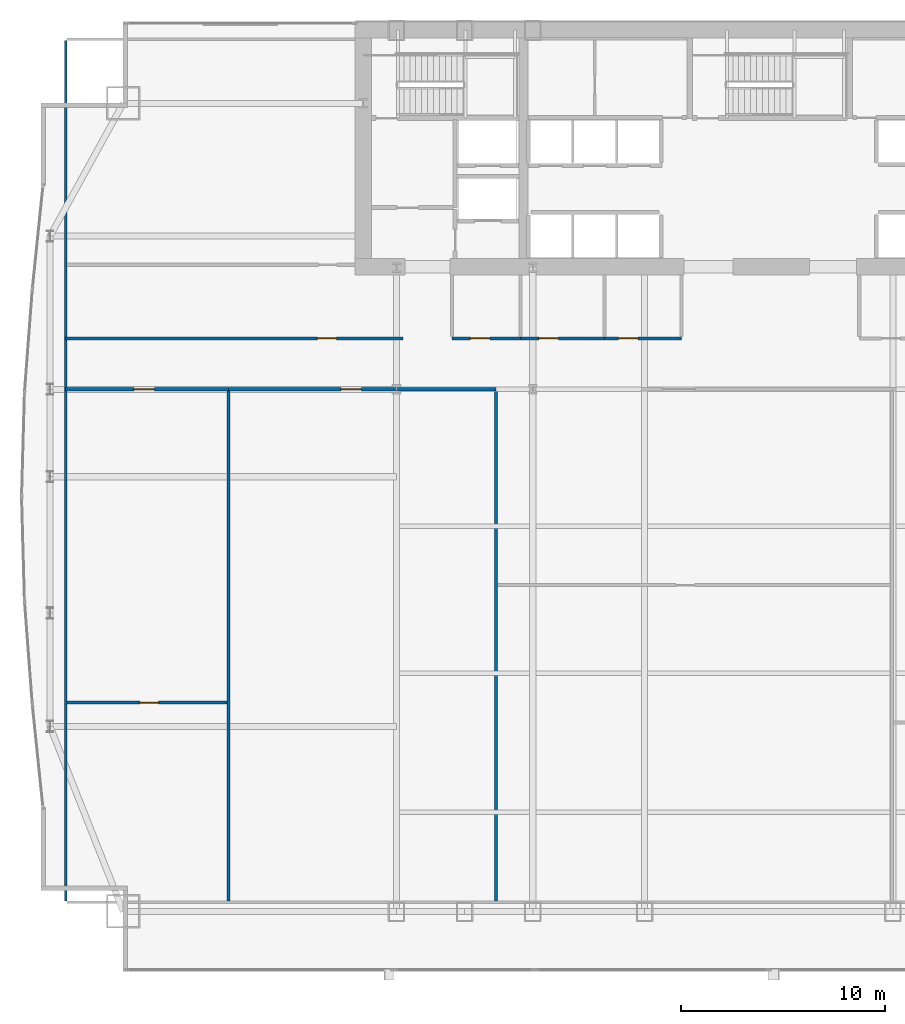
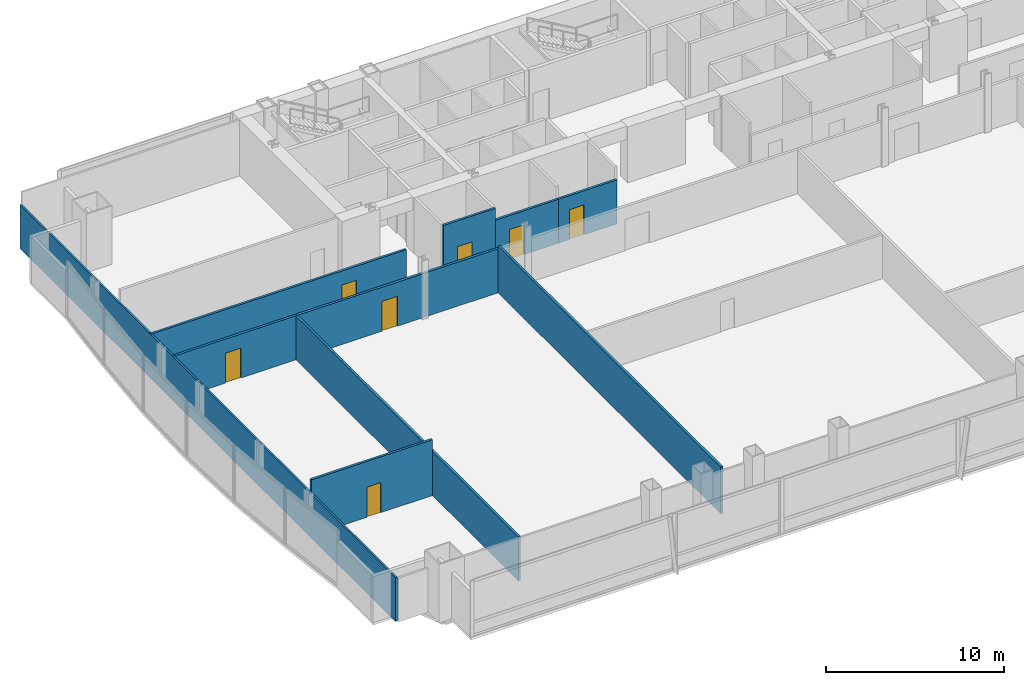
# One storey, part 26 of 32: 10 walls, 7 doors, 7 openings.
"""IFC4 building model written with IfcOpenShell, lengths in metres."""

from ifc_helpers import new_model, si_unit, direction, frame, frame_2d, origin, place, context, subcontext, project, spatial, rectangle, extrude, material, layer, layer_set, type_object, element, fill, save


model = new_model("IFC4")

# Units and contexts
model_context = context("Model", 3, precision=1e-05, world=origin(), true_north=direction((0.0, 1.0)))
body_context = subcontext(model_context, "Body", "Model", "MODEL_VIEW")
ifc_project = project(units=[si_unit("LENGTHUNIT", "METRE"), si_unit("AREAUNIT", "SQUARE_METRE"), si_unit("VOLUMEUNIT", "CUBIC_METRE"), si_unit("PLANEANGLEUNIT", "RADIAN"), si_unit("MASSUNIT", "GRAM", prefix="KILO")], contexts=[model_context])

# Site, building, storey
site_placement = place(None, origin())
site = spatial("IfcSite", under=ifc_project, at=site_placement, CompositionType="ELEMENT")
building_placement = place(site_placement, origin())
building = spatial("IfcBuilding", under=site, at=building_placement, Name="Khoronbel Lancet Exchange", CompositionType="ELEMENT")
storey_placement = place(building_placement, frame((0.0, 0.0, 29.800048828125)))
storey = spatial("IfcBuildingStorey", under=building, at=storey_placement, Name="L06", CompositionType="ELEMENT", Elevation=29.800048828125)

# Wall, opening, door
ifc_material_1 = material(Name="Acoustic Metal-Stud & Mineral-Wool Gypsum Partition 120 mm", Category="gypsum")
ifc_layer_1 = layer(ifc_material_1, 0.1201171875, Name="Acoustic Metal-Stud & Mineral-Wool Gypsum Partition 120 mm")
ifc_layer_set_1 = layer_set([ifc_layer_1], Name="Acoustic Metal-Stud & Mineral-Wool Gypsum Partition 120 mm")
wall_type_1 = type_object("IfcWallType", Name="WL-PRT120", PredefinedType="PARTITIONING", material=ifc_layer_set_1)
wall_1_placement = place(storey_placement, frame((2.094970703125, 20.369384765625, 0.0), z_axis=(0.0, 0.0, 1.0), x_axis=(1.0, 0.0, 0.0)))
wall_1 = element("IfcWall", 1, at=wall_1_placement, inside=storey, type_object=wall_type_1, Name="Level L06 interior partition PW-Z1S-H1", PredefinedType="PARTITIONING", context=body_context, shape_type="SweptSolid", body=[
    extrude(rectangle(XDim=7.830078125, YDim=0.14990234375, at=frame_2d((3.9150390625, 0.0))), origin(), (0.0, 0.0, 1.0), 3.820068359375),
])
opening_1_placement = place(wall_1_placement, frame((3.5888671875, 0.0, 0.0)))
opening_1 = element("IfcOpeningElement", 2, at=opening_1_placement, cuts=wall_1, Name="Opening D5", PredefinedType="OPENING", context=body_context, shape_type="SweptSolid", body=[
    extrude(rectangle(XDim=0.89990234375, YDim=2.050048828125, at=frame_2d((0.449951171875, 1.02490234375))), frame((0.0, 0.0849609375, 0.0), z_axis=(0.0, -1.0, 0.0), x_axis=(1.0, 0.0, 0.0)), (0.0, 0.0, 1.0), 0.169921875),
])
ifc_material_2 = material(Name="Acoustic Timber Pantry & Support Door", Category="wood")
door_type_1 = type_object("IfcDoorType", Name="DR-D5", OperationType="NOTDEFINED", PredefinedType="DOOR", material=ifc_material_2)
door_1_placement = place(opening_1_placement, origin())
door_1 = element("IfcDoor", 3, at=door_1_placement, inside=storey, type_object=door_type_1, Name="Z1S inner door 1 L06-1", OperationType="SINGLE_SWING_RIGHT", OverallHeight=2.050048828125, OverallWidth=0.89990234375, PredefinedType="DOOR", context=body_context, shape_type="SweptSolid", body=[
    extrude(rectangle(XDim=0.89990234375, YDim=2.050048828125, at=frame_2d((0.449951171875, 1.02490234375))), frame((0.0, 0.02490234375, 0.0), z_axis=(0.0, -1.0, 0.0), x_axis=(1.0, 0.0, 0.0)), (0.0, 0.0, 1.0), 0.050048828125),
])
fill(opening_1, door_1)

# Wall
wall_2_placement = place(storey_placement, frame((2.030029296875, 10.6650390625, 0.0), z_axis=(0.0, 0.0, 1.0), x_axis=(0.0, 1.0, 0.0)))
element("IfcWall", 4, at=wall_2_placement, inside=storey, type_object=wall_type_1, Name="Level L06 interior partition PW-LIN-W", PredefinedType="PARTITIONING", context=body_context, shape_type="SweptSolid", body=[
    extrude(rectangle(XDim=42.10986328125, YDim=0.1201171875, at=frame_2d((21.054931640625, 0.0))), origin(), (0.0, 0.0, 1.0), 3.010009765625),
])

# Wall, opening, door
ifc_material_3 = material(Name="Fire-Rated Twin-Stud Acoustic Gypsum Partition 150 mm", Category="gypsum")
ifc_layer_2 = layer(ifc_material_3, 0.14990234375, Name="Fire-Rated Twin-Stud Acoustic Gypsum Partition 150 mm")
ifc_layer_set_2 = layer_set([ifc_layer_2], Name="Fire-Rated Twin-Stud Acoustic Gypsum Partition 150 mm")
wall_type_2 = type_object("IfcWallType", Name="WL-PRT150C", PredefinedType="PARTITIONING", material=ifc_layer_set_2)
wall_3_placement = place(storey_placement, frame((20.949951171875, 38.199951171875, 0.0), z_axis=(0.0, 0.0, 1.0), x_axis=(1.0, 0.0, 0.0)))
wall_3 = element("IfcWall", 5, at=wall_3_placement, inside=storey, type_object=wall_type_2, Name="Level L06 interior partition PW-WC-S1", PredefinedType="PARTITIONING", context=body_context, shape_type="SweptSolid", body=[
    extrude(rectangle(XDim=3.35009765625, YDim=0.14990234375, at=frame_2d((1.675048828125, 0.0))), origin(), (0.0, 0.0, 1.0), 3.820068359375),
])
opening_2_placement = place(wall_3_placement, frame((0.89990234375, 0.0, 0.0)))
opening_2 = element("IfcOpeningElement", 6, at=opening_2_placement, cuts=wall_3, Name="Opening D4", PredefinedType="OPENING", context=body_context, shape_type="SweptSolid", body=[
    extrude(rectangle(XDim=0.949951171875, YDim=2.050048828125, at=frame_2d((0.47509765625, 1.02490234375))), frame((0.0, 0.0849609375, 0.0), z_axis=(0.0, -1.0, 0.0), x_axis=(1.0, 0.0, 0.0)), (0.0, 0.0, 1.0), 0.169921875),
])
ifc_material_4 = material(Name="Moisture-Resistant HPL Washroom Door", Category="wood")
door_type_2 = type_object("IfcDoorType", Name="DR-D4", OperationType="NOTDEFINED", PredefinedType="DOOR", material=ifc_material_4)
door_2_placement = place(opening_2_placement, origin())
door_2 = element("IfcDoor", 7, at=door_2_placement, inside=storey, type_object=door_type_2, Name="Male washroom door L06-1", OperationType="SINGLE_SWING_RIGHT", OverallHeight=2.050048828125, OverallWidth=0.949951171875, PredefinedType="DOOR", context=body_context, shape_type="SweptSolid", body=[
    extrude(rectangle(XDim=0.949951171875, YDim=2.050048828125, at=frame_2d((0.47509765625, 1.02490234375))), frame((0.0, 0.02490234375, 0.0), z_axis=(0.0, -1.0, 0.0), x_axis=(1.0, 0.0, 0.0)), (0.0, 0.0, 1.0), 0.050048828125),
])
fill(opening_2, door_2)

wall_4_placement = place(storey_placement, frame((24.300048828125, 38.199951171875, 0.0), z_axis=(0.0, 0.0, 1.0), x_axis=(1.0, 0.0, 0.0)))
wall_4 = element("IfcWall", 8, at=wall_4_placement, inside=storey, type_object=wall_type_2, Name="Level L06 interior partition PW-WC-S2", PredefinedType="PARTITIONING", context=body_context, shape_type="SweptSolid", body=[
    extrude(rectangle(XDim=4.099853515625, YDim=0.14990234375, at=frame_2d((2.0498046875, 0.0))), origin(), (0.0, 0.0, 1.0), 3.010009765625),
])
opening_3_placement = place(wall_4_placement, frame((0.89990234375, 0.0, 0.0)))
opening_3 = element("IfcOpeningElement", 9, at=opening_3_placement, cuts=wall_4, Name="Opening D4", PredefinedType="OPENING", context=body_context, shape_type="SweptSolid", body=[
    extrude(rectangle(XDim=0.949951171875, YDim=2.050048828125, at=frame_2d((0.47509765625, 1.02490234375))), frame((0.0, 0.0849609375, 0.0), z_axis=(0.0, -1.0, 0.0), x_axis=(1.0, 0.0, 0.0)), (0.0, 0.0, 1.0), 0.169921875),
])
door_3_placement = place(opening_3_placement, origin())
door_3 = element("IfcDoor", 10, at=door_3_placement, inside=storey, type_object=door_type_2, Name="Female washroom door L06-1", OperationType="SINGLE_SWING_LEFT", OverallHeight=2.050048828125, OverallWidth=0.949951171875, PredefinedType="DOOR", context=body_context, shape_type="SweptSolid", body=[
    extrude(rectangle(XDim=0.949951171875, YDim=2.050048828125, at=frame_2d((0.47509765625, 1.02490234375))), frame((0.0, 0.02490234375, 0.0), z_axis=(0.0, -1.0, 0.0), x_axis=(1.0, 0.0, 0.0)), (0.0, 0.0, 1.0), 0.050048828125),
])
fill(opening_3, door_3)

wall_5_placement = place(storey_placement, frame((28.39990234375, 38.199951171875, 0.0), z_axis=(0.0, 0.0, 1.0), x_axis=(1.0, 0.0, 0.0)))
wall_5 = element("IfcWall", 11, at=wall_5_placement, inside=storey, type_object=wall_type_2, Name="Level L06 interior partition PW-WC-S3", PredefinedType="PARTITIONING", context=body_context, shape_type="SweptSolid", body=[
    extrude(rectangle(XDim=3.780029296875, YDim=0.14990234375, at=frame_2d((1.89013671875, 0.0))), origin(), (0.0, 0.0, 1.0), 3.010009765625),
])
opening_4_placement = place(wall_5_placement, frame((0.699951171875, 0.0, 0.0)))
opening_4 = element("IfcOpeningElement", 12, at=opening_4_placement, cuts=wall_5, Name="Opening D4", PredefinedType="OPENING", context=body_context, shape_type="SweptSolid", body=[
    extrude(rectangle(XDim=0.949951171875, YDim=2.050048828125, at=frame_2d((0.47509765625, 1.02490234375))), frame((0.0, 0.0849609375, 0.0), z_axis=(0.0, -1.0, 0.0), x_axis=(1.0, 0.0, 0.0)), (0.0, 0.0, 1.0), 0.169921875),
])
door_4_placement = place(opening_4_placement, origin())
door_4 = element("IfcDoor", 13, at=door_4_placement, inside=storey, type_object=door_type_2, Name="Accessible WC door L06-1", OperationType="SINGLE_SWING_RIGHT", OverallHeight=2.050048828125, OverallWidth=0.949951171875, PredefinedType="DOOR", context=body_context, shape_type="SweptSolid", body=[
    extrude(rectangle(XDim=0.949951171875, YDim=2.050048828125, at=frame_2d((0.47509765625, 1.02490234375))), frame((0.0, 0.02490234375, 0.0), z_axis=(0.0, -1.0, 0.0), x_axis=(1.0, 0.0, 0.0)), (0.0, 0.0, 1.0), 0.050048828125),
])
fill(opening_4, door_4)

wall_6_placement = place(storey_placement, frame((2.030029296875, 38.199951171875, 0.0), z_axis=(0.0, 0.0, 1.0), x_axis=(1.0, 0.0, 0.0)))
wall_6 = element("IfcWall", 14, at=wall_6_placement, inside=storey, type_object=wall_type_2, Name="Level L06 interior partition PW-NW-S", PredefinedType="PARTITIONING", context=body_context, shape_type="SweptSolid", body=[
    extrude(rectangle(XDim=16.52001953125, YDim=0.14990234375, at=frame_2d((8.260009765625, 0.0))), origin(), (0.0, 0.0, 1.0), 3.010009765625),
])
opening_5_placement = place(wall_6_placement, frame((12.320068359375, 0.0, 0.0)))
opening_5 = element("IfcOpeningElement", 15, at=opening_5_placement, cuts=wall_6, Name="Opening D1", PredefinedType="OPENING", context=body_context, shape_type="SweptSolid", body=[
    extrude(rectangle(XDim=0.949951171875, YDim=2.050048828125, at=frame_2d((0.47509765625, 1.02490234375))), frame((0.0, 0.0849609375, 0.0), z_axis=(0.0, -1.0, 0.0), x_axis=(1.0, 0.0, 0.0)), (0.0, 0.0, 1.0), 0.169921875),
])
ifc_material_5 = material(Name="Acoustic Veneered Timber & Bronze Frame Door", Category="wood")
door_type_3 = type_object("IfcDoorType", Name="DR-D1", OperationType="NOTDEFINED", PredefinedType="DOOR", material=ifc_material_5)
door_5_placement = place(opening_5_placement, origin())
door_5 = element("IfcDoor", 16, at=door_5_placement, inside=storey, type_object=door_type_3, Name="NW corner room door L06-1", OperationType="SINGLE_SWING_LEFT", OverallHeight=2.050048828125, OverallWidth=0.949951171875, PredefinedType="DOOR", context=body_context, shape_type="SweptSolid", body=[
    extrude(rectangle(XDim=0.949951171875, YDim=2.050048828125, at=frame_2d((0.47509765625, 1.02490234375))), frame((0.0, 0.02490234375, 0.0), z_axis=(0.0, -1.0, 0.0), x_axis=(1.0, 0.0, 0.0)), (0.0, 0.0, 1.0), 0.050048828125),
])
fill(opening_5, door_5)

# Walls
wall_7_placement = place(storey_placement, frame((10.0048828125, 10.6650390625, 0.0), z_axis=(0.0, 0.0, 1.0), x_axis=(0.0, 1.0, 0.0)))
element("IfcWall", 17, at=wall_7_placement, inside=storey, type_object=wall_type_2, Name="Level L06 interior partition PW-Z1S-V1", PredefinedType="PARTITIONING", context=body_context, shape_type="SweptSolid", body=[
    extrude(rectangle(XDim=24.949951171875, YDim=0.14990234375, at=frame_2d((12.47509765625, 0.0))), origin(), (0.0, 0.0, 1.0), 3.010009765625),
])
wall_8_placement = place(storey_placement, frame((23.102783203125, 10.6650390625, 0.0), z_axis=(0.0, 0.0, 1.0), x_axis=(0.0, 1.0, 0.0)))
element("IfcWall", 18, at=wall_8_placement, inside=storey, type_object=wall_type_2, Name="Level L06 interior partition PW-Z1S-V2", PredefinedType="PARTITIONING", context=body_context, shape_type="SweptSolid", body=[
    extrude(rectangle(XDim=24.949951171875, YDim=0.14990234375, at=frame_2d((12.47509765625, 0.0))), origin(), (0.0, 0.0, 1.0), 3.2099609375),
])

# Wall, opening, door
ifc_material_6 = material(Name="Fire-Rated Twin-Stud Acoustic Gypsum Partition 160 mm", Category="gypsum")
ifc_layer_3 = layer(ifc_material_6, 0.159912109375, Name="Fire-Rated Twin-Stud Acoustic Gypsum Partition 160 mm")
ifc_layer_set_3 = layer_set([ifc_layer_3], Name="Fire-Rated Twin-Stud Acoustic Gypsum Partition 160 mm")
wall_type_3 = type_object("IfcWallType", Name="WL-PRT160C", PredefinedType="PARTITIONING", material=ifc_layer_set_3)
wall_9_placement = place(storey_placement, frame((2.030029296875, 35.699951171875, 0.0), z_axis=(0.0, 0.0, 1.0), x_axis=(1.0, 0.0, 0.0)))
wall_9 = element("IfcWall", 19, at=wall_9_placement, inside=storey, type_object=wall_type_3, Name="Level L06 interior partition PW-Z1S-COR1", PredefinedType="PARTITIONING", context=body_context, shape_type="SweptSolid", body=[
    extrude(rectangle(XDim=7.974853515625, YDim=0.159912109375, at=frame_2d((3.9873046875, 0.0))), origin(), (0.0, 0.0, 1.0), 3.010009765625),
])
opening_6_placement = place(wall_9_placement, frame((3.349609375, 0.0, 0.0)))
opening_6 = element("IfcOpeningElement", 20, at=opening_6_placement, cuts=wall_9, Name="Opening D2", PredefinedType="OPENING", context=body_context, shape_type="SweptSolid", body=[
    extrude(rectangle(XDim=1.0, YDim=2.050048828125, at=frame_2d((0.5, 1.02490234375))), frame((0.0, 0.08984375, 0.0), z_axis=(0.0, -1.0, 0.0), x_axis=(1.0, 0.0, 0.0)), (0.0, 0.0, 1.0), 0.179931640625),
])
door_type_4 = type_object("IfcDoorType", Name="DR-D2", OperationType="NOTDEFINED", PredefinedType="DOOR", material=ifc_material_5)
door_6_placement = place(opening_6_placement, origin())
door_6 = element("IfcDoor", 21, at=door_6_placement, inside=storey, type_object=door_type_4, Name="Z1S bay 1 door L06-1", OperationType="SINGLE_SWING_LEFT", OverallHeight=2.050048828125, OverallWidth=1.0, PredefinedType="DOOR", context=body_context, shape_type="SweptSolid", body=[
    extrude(rectangle(XDim=1.0, YDim=2.050048828125, at=frame_2d((0.5, 1.02490234375))), frame((0.0, 0.02490234375, 0.0), z_axis=(0.0, -1.0, 0.0), x_axis=(1.0, 0.0, 0.0)), (0.0, 0.0, 1.0), 0.050048828125),
])
fill(opening_6, door_6)

wall_10_placement = place(storey_placement, frame((10.0048828125, 35.699951171875, 0.0), z_axis=(0.0, 0.0, 1.0), x_axis=(1.0, 0.0, 0.0)))
wall_10 = element("IfcWall", 22, at=wall_10_placement, inside=storey, type_object=wall_type_3, Name="Level L06 interior partition PW-Z1S-COR2", PredefinedType="PARTITIONING", context=body_context, shape_type="SweptSolid", body=[
    extrude(rectangle(XDim=13.097900390625, YDim=0.159912109375, at=frame_2d((6.548828125, 0.0))), origin(), (0.0, 0.0, 1.0), 3.010009765625),
])
opening_7_placement = place(wall_10_placement, frame((5.501220703125, 0.0, 0.0)))
opening_7 = element("IfcOpeningElement", 23, at=opening_7_placement, cuts=wall_10, Name="Opening D2", PredefinedType="OPENING", context=body_context, shape_type="SweptSolid", body=[
    extrude(rectangle(XDim=1.0, YDim=2.050048828125, at=frame_2d((0.5, 1.02490234375))), frame((0.0, 0.08984375, 0.0), z_axis=(0.0, -1.0, 0.0), x_axis=(1.0, 0.0, 0.0)), (0.0, 0.0, 1.0), 0.179931640625),
])
door_7_placement = place(opening_7_placement, origin())
door_7 = element("IfcDoor", 24, at=door_7_placement, inside=storey, type_object=door_type_4, Name="Z1S bay 2 door L06-1", OperationType="SINGLE_SWING_LEFT", OverallHeight=2.050048828125, OverallWidth=1.0, PredefinedType="DOOR", context=body_context, shape_type="SweptSolid", body=[
    extrude(rectangle(XDim=1.0, YDim=2.050048828125, at=frame_2d((0.5, 1.02490234375))), frame((0.0, 0.02490234375, 0.0), z_axis=(0.0, -1.0, 0.0), x_axis=(1.0, 0.0, 0.0)), (0.0, 0.0, 1.0), 0.050048828125),
])
fill(opening_7, door_7)

save(model, "model.ifc")
